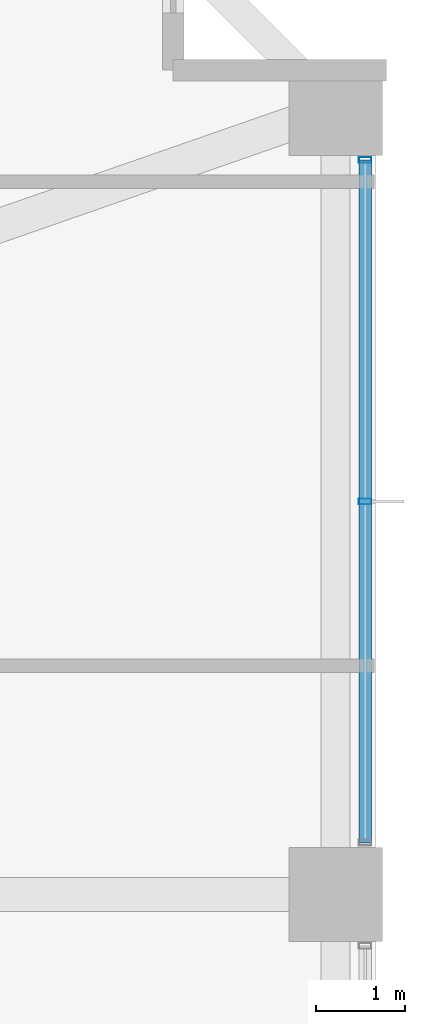
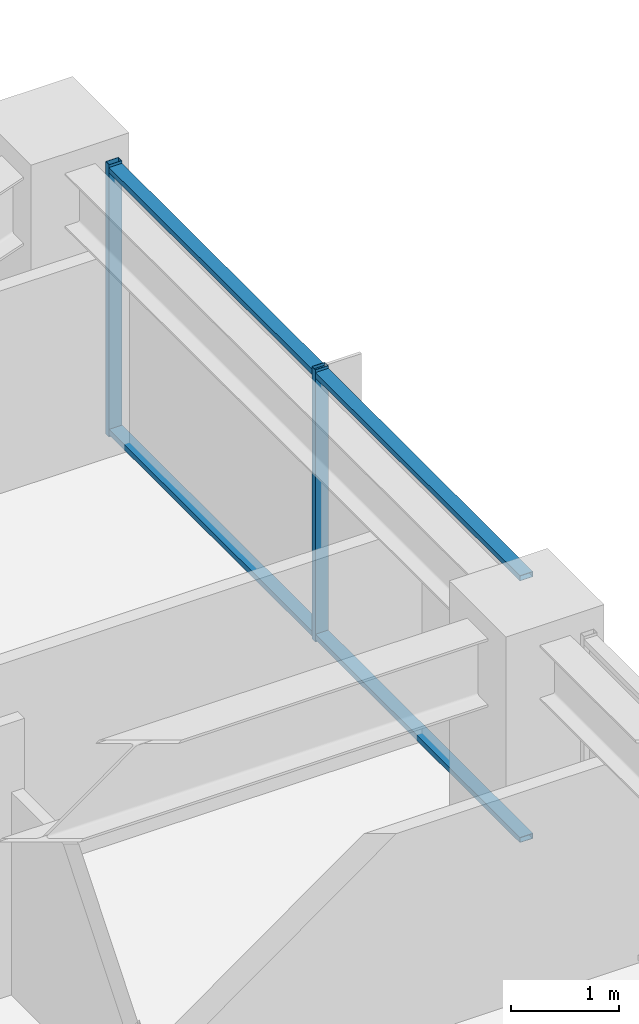
# One storey, part 24 of 38: 4 members, 1 element without a shape of its own.
"""IFC4 building model written with IfcOpenShell, lengths in metres."""

from ifc_helpers import new_model, si_unit, direction, frame, origin, origin_2d, place, context, subcontext, project, spatial, hollow_rectangle, extrude, material, material_profile, profile_set, type_object, element, aggregate, save


model = new_model("IFC4")

# Units and contexts
model_context = context("Model", 3, precision=1e-05, world=origin(), true_north=direction((0.0, 1.0)))
body_context = subcontext(model_context, "Body", "Model", "MODEL_VIEW")
ifc_project = project(units=[si_unit("LENGTHUNIT", "METRE"), si_unit("AREAUNIT", "SQUARE_METRE"), si_unit("VOLUMEUNIT", "CUBIC_METRE"), si_unit("PLANEANGLEUNIT", "RADIAN"), si_unit("MASSUNIT", "GRAM", prefix="KILO")], contexts=[model_context])

# Site, building, storey
site_placement = place(None, origin())
site = spatial("IfcSite", under=ifc_project, at=site_placement, CompositionType="ELEMENT")
building_placement = place(site_placement, origin())
building = spatial("IfcBuilding", under=site, at=building_placement, Name="Kolvaren Belvedere", CompositionType="ELEMENT")
storey_placement = place(building_placement, frame((0.0, 0.0, 98.60009765625)))
storey = spatial("IfcBuildingStorey", under=building, at=storey_placement, Name="L28", CompositionType="ELEMENT", Elevation=98.60009765625)

# Curtain wall, members
ifc_material_1 = material(Name="Anodised pale-metal aluminium AA 6063-T6", Category="aluminium")
curtain_wall_type = type_object("IfcCurtainWallType", Name="CW-Z2-MID", PredefinedType="NOTDEFINED", material=ifc_material_1)
curtain_wall_placement = place(storey_placement, origin())
curtain_wall = element("IfcCurtainWall", 1, at=curtain_wall_placement, inside=storey, type_object=curtain_wall_type, Name="L28 Unitised Curtain Wall FCW-L28-E-B1", PredefinedType="NOTDEFINED")
ifc_material_2 = material(Name="Anodised pale-metal aluminium AA 6063-T6", Category="aluminium")
ifc_material_profile_1 = material_profile(ifc_material_2, hollow_rectangle(XDim=0.06494140625, YDim=0.139892578125, WallThickness=0.00390625, at=origin_2d()), Name="ALU-MUL-140X65")
ifc_profile_set_1 = profile_set([ifc_material_profile_1], Name="Anodised pale-metal aluminium AA 6063-T6")
member_type_1 = type_object("IfcMemberType", Name="CW-MUL-140", PredefinedType="MULLION", material=ifc_profile_set_1)
member_1_placement = place(storey_placement, frame((20.280029296875, 12.822509765625, 0.0), z_axis=(0.0, 0.0, 1.0), x_axis=(0.0, 1.0, 0.0)))
member_1 = element("IfcMember", 2, at=member_1_placement, type_object=member_type_1, Name="FCW-L28-E-B1 Unitised Mullion 1", PredefinedType="MULLION", context=body_context, shape_type="SweptSolid", body=[
    extrude(hollow_rectangle(XDim=0.06494140625, YDim=0.139892578125, WallThickness=0.00390625, at=origin_2d()), origin(), (0.0, 0.0, 1.0), 3.079833984375),
])
member_2_placement = place(storey_placement, frame((20.280029296875, 9.0, 0.0), z_axis=(0.0, 0.0, 1.0), x_axis=(0.0, 1.0, 0.0)))
member_2 = element("IfcMember", 3, at=member_2_placement, type_object=member_type_1, Name="FCW-L28-E-B1 Unitised Mullion 2", PredefinedType="MULLION", context=body_context, shape_type="SweptSolid", body=[
    extrude(hollow_rectangle(XDim=0.06494140625, YDim=0.139892578125, WallThickness=0.00390625, at=origin_2d()), origin(), (0.0, 0.0, 1.0), 3.079833984375),
])
ifc_material_3 = material(Name="Anodised pale-metal aluminium AA 6063-T6", Category="aluminium")
ifc_material_profile_2 = material_profile(ifc_material_3, hollow_rectangle(XDim=0.06005859375, YDim=0.139892578125, WallThickness=0.00390625, at=origin_2d()), Name="ALU-TRN-140X60")
ifc_profile_set_2 = profile_set([ifc_material_profile_2], Name="Anodised pale-metal aluminium AA 6063-T6")
member_type_2 = type_object("IfcMemberType", Name="CW-TRN-140", PredefinedType="USERDEFINED", material=ifc_profile_set_2)
member_3_placement = place(storey_placement, frame((20.280029296875, 12.822509765625, 0.059814453125), z_axis=(0.0, -1.0, 0.0), x_axis=(0.0, 0.0, 1.0)))
member_3 = element("IfcMember", 4, at=member_3_placement, type_object=member_type_2, Name="FCW-L28-E-B1 Sill Transom", ObjectType="TRANSOM", PredefinedType="USERDEFINED", context=body_context, shape_type="SweptSolid", body=[
    extrude(hollow_rectangle(XDim=0.06005859375, YDim=0.139892578125, WallThickness=0.00390625, at=origin_2d()), origin(), (0.0, 0.0, 1.0), 7.64501953125),
])
member_4_placement = place(storey_placement, frame((20.280029296875, 12.822509765625, 3.02001953125), z_axis=(0.0, -1.0, 0.0), x_axis=(0.0, 0.0, 1.0)))
member_4 = element("IfcMember", 5, at=member_4_placement, type_object=member_type_2, Name="FCW-L28-E-B1 Head Transom", ObjectType="TRANSOM", PredefinedType="USERDEFINED", context=body_context, shape_type="SweptSolid", body=[
    extrude(hollow_rectangle(XDim=0.06005859375, YDim=0.139892578125, WallThickness=0.00390625, at=origin_2d()), origin(), (0.0, 0.0, 1.0), 7.64501953125),
])
aggregate(curtain_wall, [member_1, member_2, member_3, member_4])

save(model, "model.ifc")
